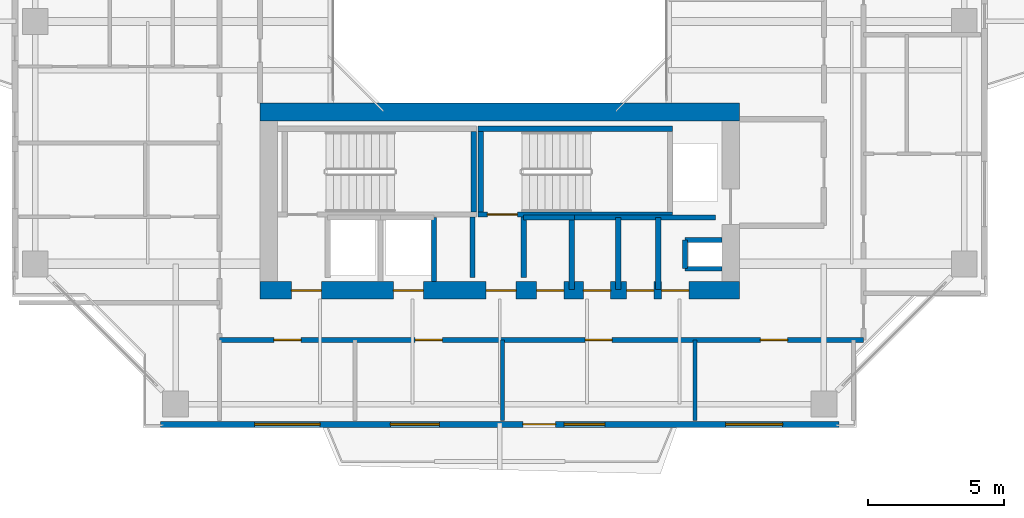
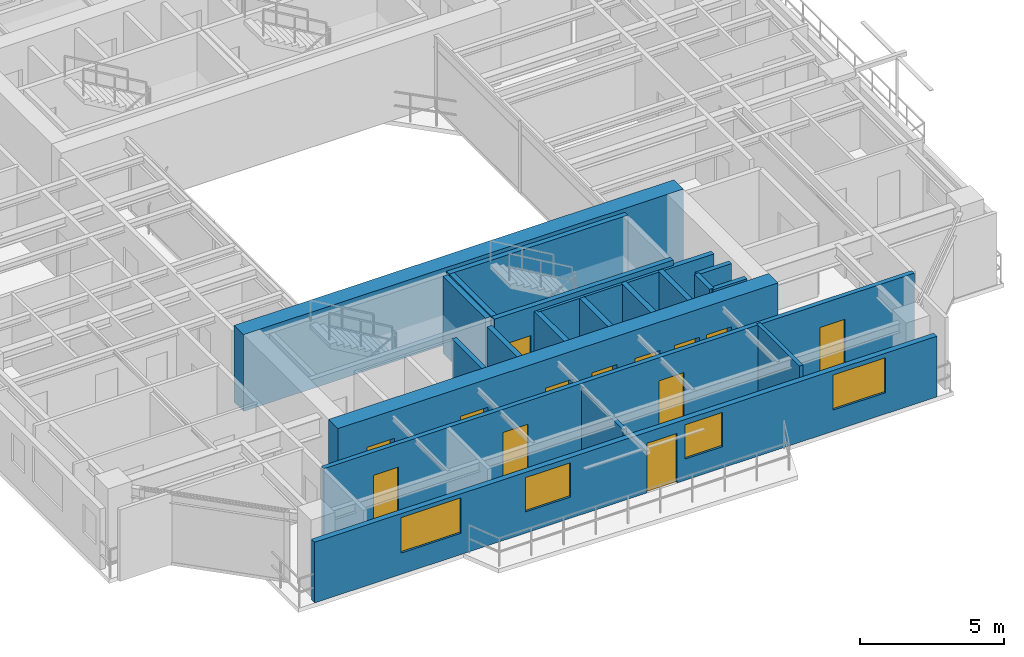
# One storey, part 10 of 18: 21 walls, 13 doors, 4 windows, 17 openings.
"""IFC4 building model written with IfcOpenShell, lengths in metres."""

from ifc_helpers import new_model, si_unit, direction, frame, frame_2d, origin, place, context, subcontext, project, spatial, rectangle, extrude, source, transform, mapped, material, layer, layer_set, type_object, element, fill, save


model = new_model("IFC4")

# Units and contexts
model_context = context("Model", 3, precision=1e-05, world=origin(), true_north=direction((0.0, 1.0)))
body_context = subcontext(model_context, "Body", "Model", "MODEL_VIEW")
ifc_project = project(units=[si_unit("LENGTHUNIT", "METRE"), si_unit("AREAUNIT", "SQUARE_METRE"), si_unit("VOLUMEUNIT", "CUBIC_METRE"), si_unit("PLANEANGLEUNIT", "RADIAN"), si_unit("MASSUNIT", "GRAM", prefix="KILO"), si_unit("THERMODYNAMICTEMPERATUREUNIT", "KELVIN"), si_unit("POWERUNIT", "WATT")], contexts=[model_context])

# Site, building, storey
site_placement = place(None, origin())
site = spatial("IfcSite", under=ifc_project, at=site_placement, CompositionType="ELEMENT")
building_placement = place(site_placement, origin())
building = spatial("IfcBuilding", under=site, at=building_placement, Name="Qiaomeng Ring Towers", CompositionType="ELEMENT")
storey_placement = place(building_placement, frame((0.0, 0.0, 182.75)))
storey = spatial("IfcBuildingStorey", under=building, at=storey_placement, Name="L53", CompositionType="ELEMENT", Elevation=182.75)

# Wall, openings, windows, door
ifc_material_1 = material(Name="Precast concrete C40", Category="concrete")
ifc_layer_1 = layer(ifc_material_1, 0.219970703125, Name="Precast concrete C40")
ifc_layer_set_1 = layer_set([ifc_layer_1], Name="Precast concrete C40")
wall_type_1 = type_object("IfcWallType", Name="ARC-WL-EW2", PredefinedType="STANDARD", material=ifc_layer_set_1)
wall_1_placement = place(storey_placement, frame((6.550048828125, 5.2099609375, 0.0), z_axis=(0.0, 0.0, 1.0), x_axis=(1.0, 0.0, 0.0)))
wall_1 = element("IfcWall", 1, at=wall_1_placement, inside=storey, type_object=wall_type_1, Name="L53 Tower 1 S Exterior Wall", PredefinedType="STANDARD", context=body_context, shape_type="SweptSolid", body=[
    extrude(rectangle(XDim=24.89990234375, YDim=0.219970703125, at=frame_2d((12.449951171875, 0.0))), origin(), (0.0, 0.0, 1.0), 2.570068359375),
])
opening_1_placement = place(wall_1_placement, frame((13.300048828125, 0.0, 0.0)))
opening_1 = element("IfcOpeningElement", 2, at=opening_1_placement, cuts=wall_1, Name="Opening BD1", PredefinedType="OPENING", context=body_context, shape_type="SweptSolid", body=[
    extrude(rectangle(XDim=1.199951171875, YDim=2.10009765625, at=frame_2d((0.60009765625, 1.050048828125))), frame((0.0, 0.119873046875, 0.0), z_axis=(0.0, -1.0, 0.0), x_axis=(1.0, 0.0, 0.0)), (0.0, 0.0, 1.0), 0.239990234375),
])
opening_2_placement = place(wall_1_placement, frame((3.455078125, 0.0, 0.89990234375)))
opening_2 = element("IfcOpeningElement", 3, at=opening_2_placement, cuts=wall_1, Name="Opening WN6", PredefinedType="OPENING", context=body_context, shape_type="SweptSolid", body=[
    extrude(rectangle(XDim=2.39990234375, YDim=1.5, at=frame_2d((1.199951171875, 0.75))), frame((0.0, 0.119873046875, 0.0), z_axis=(0.0, -1.0, 0.0), x_axis=(1.0, 0.0, 0.0)), (0.0, 0.0, 1.0), 0.239990234375),
])
opening_3_placement = place(wall_1_placement, frame((8.43798828125, 0.0, 0.89990234375)))
opening_3 = element("IfcOpeningElement", 4, at=opening_3_placement, cuts=wall_1, Name="Opening WN1", PredefinedType="OPENING", context=body_context, shape_type="SweptSolid", body=[
    extrude(rectangle(XDim=1.800048828125, YDim=1.449951171875, at=frame_2d((0.89990234375, 0.72509765625))), frame((0.0, 0.119873046875, 0.0), z_axis=(0.0, -1.0, 0.0), x_axis=(1.0, 0.0, 0.0)), (0.0, 0.0, 1.0), 0.239990234375),
])
opening_4_placement = place(wall_1_placement, frame((14.81298828125, 0.0, 0.89990234375)))
opening_4 = element("IfcOpeningElement", 5, at=opening_4_placement, cuts=wall_1, Name="Opening WN2", PredefinedType="OPENING", context=body_context, shape_type="SweptSolid", body=[
    extrude(rectangle(XDim=1.5, YDim=1.449951171875, at=frame_2d((0.75, 0.72509765625))), frame((0.0, 0.119873046875, 0.0), z_axis=(0.0, -1.0, 0.0), x_axis=(1.0, 0.0, 0.0)), (0.0, 0.0, 1.0), 0.239990234375),
])
opening_5_placement = place(wall_1_placement, frame((20.738037109375, 0.0, 0.89990234375)))
opening_5 = element("IfcOpeningElement", 6, at=opening_5_placement, cuts=wall_1, Name="Opening WN4", PredefinedType="OPENING", context=body_context, shape_type="SweptSolid", body=[
    extrude(rectangle(XDim=2.10009765625, YDim=1.47998046875, at=frame_2d((1.050048828125, 0.739990234375))), frame((0.0, 0.119873046875, 0.0), z_axis=(0.0, -1.0, 0.0), x_axis=(1.0, 0.0, 0.0)), (0.0, 0.0, 1.0), 0.239990234375),
])
ifc_material_2 = material(Name="Low-E dark-grey laminated double glazing", Category="glass")
window_type_1 = type_object("IfcWindowType", Name="ARC-WN-2", PartitioningType="DOUBLE_PANEL_VERTICAL", PredefinedType="WINDOW", material=ifc_material_2)
shared_shape_1 = source(origin(), body_context, "Body", "SweptSolid", [
    extrude(rectangle(XDim=1.5, YDim=1.449951171875, at=frame_2d((0.75, 0.72509765625))), frame((0.0, 0.030029296875, 0.0), z_axis=(0.0, -1.0, 0.0), x_axis=(1.0, 0.0, 0.0)), (0.0, 0.0, 1.0), 0.06005859375),
])
window_1_placement = place(opening_4_placement, origin())
window_1 = element("IfcWindow", 7, at=window_1_placement, inside=storey, type_object=window_type_1, Name="L53 Exterior Window WN2", OverallHeight=1.449951171875, OverallWidth=1.5, PartitioningType="DOUBLE_PANEL_VERTICAL", PredefinedType="WINDOW", context=body_context, shape_type="MappedRepresentation", body=[
    mapped(shared_shape_1, transform((0.0, 0.0, 0.0), x_axis=(1.0, 0.0, 0.0), y_axis=(0.0, 1.0, 0.0), z_axis=(0.0, 0.0, 1.0), scale=1.0)),
])
fill(opening_4, window_1)
window_type_2 = type_object("IfcWindowType", Name="ARC-WN-4", PartitioningType="TRIPLE_PANEL_VERTICAL", PredefinedType="WINDOW", material=ifc_material_2)
shared_shape_2 = source(origin(), body_context, "Body", "SweptSolid", [
    extrude(rectangle(XDim=2.10009765625, YDim=1.47998046875, at=frame_2d((1.050048828125, 0.739990234375))), frame((0.0, 0.030029296875, 0.0), z_axis=(0.0, -1.0, 0.0), x_axis=(1.0, 0.0, 0.0)), (0.0, 0.0, 1.0), 0.06005859375),
])
window_2_placement = place(opening_5_placement, origin())
window_2 = element("IfcWindow", 8, at=window_2_placement, inside=storey, type_object=window_type_2, Name="L53 Exterior Window WN4", OverallHeight=1.47998046875, OverallWidth=2.10009765625, PartitioningType="TRIPLE_PANEL_VERTICAL", PredefinedType="WINDOW", context=body_context, shape_type="MappedRepresentation", body=[
    mapped(shared_shape_2, transform((0.0, 0.0, 0.0), x_axis=(1.0, 0.0, 0.0), y_axis=(0.0, 1.0, 0.0), z_axis=(0.0, 0.0, 1.0), scale=1.0)),
])
fill(opening_5, window_2)
window_type_3 = type_object("IfcWindowType", Name="ARC-WN-1", PartitioningType="DOUBLE_PANEL_VERTICAL", PredefinedType="WINDOW", material=ifc_material_2)
shared_shape_3 = source(origin(), body_context, "Body", "SweptSolid", [
    extrude(rectangle(XDim=1.800048828125, YDim=1.449951171875, at=frame_2d((0.89990234375, 0.72509765625))), frame((0.0, 0.030029296875, 0.0), z_axis=(0.0, -1.0, 0.0), x_axis=(1.0, 0.0, 0.0)), (0.0, 0.0, 1.0), 0.06005859375),
])
window_3_placement = place(opening_3_placement, origin())
window_3 = element("IfcWindow", 9, at=window_3_placement, inside=storey, type_object=window_type_3, Name="L53 Exterior Window WN1", OverallHeight=1.449951171875, OverallWidth=1.800048828125, PartitioningType="DOUBLE_PANEL_VERTICAL", PredefinedType="WINDOW", context=body_context, shape_type="MappedRepresentation", body=[
    mapped(shared_shape_3, transform((0.0, 0.0, 0.0), x_axis=(1.0, 0.0, 0.0), y_axis=(0.0, 1.0, 0.0), z_axis=(0.0, 0.0, 1.0), scale=1.0)),
])
fill(opening_3, window_3)
door_type_1 = type_object("IfcDoorType", Name="ARC-DR-BD1", OperationType="NOTDEFINED", PredefinedType="DOOR", material=ifc_material_2)
shared_shape_4 = source(origin(), body_context, "Body", "SweptSolid", [
    extrude(rectangle(XDim=1.199951171875, YDim=2.10009765625, at=frame_2d((0.60009765625, 1.050048828125))), frame((0.0, 0.02490234375, 0.0), z_axis=(0.0, -1.0, 0.0), x_axis=(1.0, 0.0, 0.0)), (0.0, 0.0, 1.0), 0.050048828125),
])
door_1_placement = place(opening_1_placement, frame((1.199951171875, 0.0, 0.0), z_axis=(0.0, 0.0, 1.0), x_axis=(-1.0, 0.0, 0.0)))
door_1 = element("IfcDoor", 10, at=door_1_placement, inside=storey, type_object=door_type_1, Name="L53 S Balcony Glazed Door", OperationType="SINGLE_SWING_LEFT", OverallHeight=2.10009765625, OverallWidth=1.199951171875, PredefinedType="DOOR", context=body_context, shape_type="MappedRepresentation", body=[
    mapped(shared_shape_4, transform((0.0, 0.0, 0.0), x_axis=(1.0, 0.0, 0.0), y_axis=(0.0, 1.0, 0.0), z_axis=(0.0, 0.0, 1.0), scale=1.0)),
])
fill(opening_1, door_1)
window_type_4 = type_object("IfcWindowType", Name="ARC-WN-6", PartitioningType="TRIPLE_PANEL_VERTICAL", PredefinedType="WINDOW", material=ifc_material_2)
shared_shape_5 = source(origin(), body_context, "Body", "SweptSolid", [
    extrude(rectangle(XDim=2.39990234375, YDim=1.5, at=frame_2d((1.199951171875, 0.75))), frame((0.0, 0.030029296875, 0.0), z_axis=(0.0, -1.0, 0.0), x_axis=(1.0, 0.0, 0.0)), (0.0, 0.0, 1.0), 0.06005859375),
])
window_4_placement = place(opening_2_placement, origin())
window_4 = element("IfcWindow", 11, at=window_4_placement, inside=storey, type_object=window_type_4, Name="L53 Exterior Window WN6", OverallHeight=1.5, OverallWidth=2.39990234375, PartitioningType="TRIPLE_PANEL_VERTICAL", PredefinedType="WINDOW", context=body_context, shape_type="MappedRepresentation", body=[
    mapped(shared_shape_5, transform((0.0, 0.0, 0.0), x_axis=(1.0, 0.0, 0.0), y_axis=(0.0, 1.0, 0.0), z_axis=(0.0, 0.0, 1.0), scale=1.0)),
])
fill(opening_2, window_4)

# Walls
ifc_material_3 = material(Name="Autoclaved aerated concrete block", Category="concrete")
ifc_layer_2 = layer(ifc_material_3, 0.199951171875, Name="Autoclaved aerated concrete block")
ifc_layer_set_2 = layer_set([ifc_layer_2], Name="Autoclaved aerated concrete block")
wall_type_2 = type_object("IfcWallType", Name="ARC-WL-PW1", PredefinedType="PARTITIONING", material=ifc_layer_set_2)
for number, where, z_axis, x_axis, name in (
    (12, (18.0, 10.60009765625, 0.0), (0.0, 0.0, 1.0), (0.0, 1.0, 0.0), "L53 Interior Wall PW1"),
    (13, (19.8798828125, 10.60009765625, 0.0), (0.0, 0.0, 1.0), (0.0, 1.0, 0.0), "L53 Interior Wall PW1"),
):
    element("IfcWall", number, at=place(storey_placement, frame(where, z_axis=z_axis, x_axis=x_axis)), inside=storey, type_object=wall_type_2, Name=name, PredefinedType="PARTITIONING", context=body_context, shape_type="SweptSolid", body=[
        extrude(rectangle(XDim=2.2099609375, YDim=0.199951171875, at=frame_2d((1.10498046875, 0.0))), origin(), (0.0, 0.0, 1.0), 3.030029296875),
    ])
wall_2_placement = place(storey_placement, frame((24.820068359375, 10.14990234375, 0.0), z_axis=(0.0, 0.0, 1.0), x_axis=(0.0, 1.0, 0.0)))
element("IfcWall", 14, at=wall_2_placement, inside=storey, type_object=wall_type_2, Name="L53 Interior Wall PW1", PredefinedType="PARTITIONING", context=body_context, shape_type="SweptSolid", body=[
    extrude(rectangle(XDim=2.650146484375, YDim=0.199951171875, at=frame_2d((1.3251953125, 0.0))), origin(), (0.0, 0.0, 1.0), 3.030029296875),
])
wall_3_placement = place(storey_placement, frame((19.8798828125, 12.800048828125, 0.0), z_axis=(0.0, 0.0, 1.0), x_axis=(1.0, 0.0, 0.0)))
element("IfcWall", 15, at=wall_3_placement, inside=storey, type_object=wall_type_2, Name="L53 Interior Wall PW1", PredefinedType="PARTITIONING", context=body_context, shape_type="SweptSolid", body=[
    extrude(rectangle(XDim=1.8701171875, YDim=0.199951171875, at=frame_2d((0.93505859375, 0.0))), origin(), (0.0, 0.0, 1.0), 3.030029296875),
])
for number, where, z_axis, x_axis, name in (
    (16, (21.639892578125, 10.14990234375, 0.0), (0.0, 0.0, 1.0), (0.0, 1.0, 0.0), "L53 Interior Wall PW1"),
    (17, (23.35009765625, 10.14990234375, 0.0), (0.0, 0.0, 1.0), (0.0, 1.0, 0.0), "L53 Interior Wall PW1"),
):
    element("IfcWall", number, at=place(storey_placement, frame(where, z_axis=z_axis, x_axis=x_axis)), inside=storey, type_object=wall_type_2, Name=name, PredefinedType="PARTITIONING", context=body_context, shape_type="SweptSolid", body=[
        extrude(rectangle(XDim=2.650146484375, YDim=0.199951171875, at=frame_2d((1.3251953125, 0.0))), origin(), (0.0, 0.0, 1.0), 3.030029296875),
    ])
wall_4_placement = place(storey_placement, frame((21.75, 12.800048828125, 0.0), z_axis=(0.0, 0.0, 1.0), x_axis=(1.0, 0.0, 0.0)))
element("IfcWall", 18, at=wall_4_placement, inside=storey, type_object=wall_type_2, Name="L53 Interior Wall PW1", PredefinedType="PARTITIONING", context=body_context, shape_type="SweptSolid", body=[
    extrude(rectangle(XDim=5.169921875, YDim=0.199951171875, at=frame_2d((2.5849609375, 0.0))), origin(), (0.0, 0.0, 1.0), 3.030029296875),
])

# Wall, openings, doors
ifc_layer_3 = layer(ifc_material_3, 0.179931640625, Name="Autoclaved aerated concrete block")
ifc_layer_set_3 = layer_set([ifc_layer_3], Name="Autoclaved aerated concrete block")
wall_type_3 = type_object("IfcWallType", Name="ARC-WL-PW2", PredefinedType="PARTITIONING", material=ifc_layer_set_3)
wall_5_placement = place(storey_placement, frame((8.719970703125, 8.31005859375, 0.0), z_axis=(0.0, 0.0, 1.0), x_axis=(1.0, 0.0, 0.0)))
wall_5 = element("IfcWall", 19, at=wall_5_placement, inside=storey, type_object=wall_type_3, Name="L53 Interior Wall PW2", PredefinedType="PARTITIONING", context=body_context, shape_type="SweptSolid", body=[
    extrude(rectangle(XDim=23.630126953125, YDim=0.179931640625, at=frame_2d((11.81494140625, 0.0))), origin(), (0.0, 0.0, 1.0), 3.030029296875),
])
opening_6_placement = place(wall_5_placement, frame((1.985107421875, 0.0, 0.0)))
opening_6 = element("IfcOpeningElement", 20, at=opening_6_placement, cuts=wall_5, Name="Opening FD4", PredefinedType="OPENING", context=body_context, shape_type="SweptSolid", body=[
    extrude(rectangle(XDim=1.0, YDim=2.050048828125, at=frame_2d((0.5, 1.02490234375))), frame((0.0, 0.099853515625, 0.0), z_axis=(0.0, -1.0, 0.0), x_axis=(1.0, 0.0, 0.0)), (0.0, 0.0, 1.0), 0.199951171875),
])
opening_7_placement = place(wall_5_placement, frame((7.175048828125, 0.0, 0.0)))
opening_7 = element("IfcOpeningElement", 21, at=opening_7_placement, cuts=wall_5, Name="Opening FD4", PredefinedType="OPENING", context=body_context, shape_type="SweptSolid", body=[
    extrude(rectangle(XDim=1.0, YDim=2.050048828125, at=frame_2d((0.5, 1.02490234375))), frame((0.0, 0.099853515625, 0.0), z_axis=(0.0, -1.0, 0.0), x_axis=(1.0, 0.0, 0.0)), (0.0, 0.0, 1.0), 0.199951171875),
])
opening_8_placement = place(wall_5_placement, frame((13.409912109375, 0.0, 0.0)))
opening_8 = element("IfcOpeningElement", 22, at=opening_8_placement, cuts=wall_5, Name="Opening FD4", PredefinedType="OPENING", context=body_context, shape_type="SweptSolid", body=[
    extrude(rectangle(XDim=1.0, YDim=2.050048828125, at=frame_2d((0.5, 1.02490234375))), frame((0.0, 0.099853515625, 0.0), z_axis=(0.0, -1.0, 0.0), x_axis=(1.0, 0.0, 0.0)), (0.0, 0.0, 1.0), 0.199951171875),
])
opening_9_placement = place(wall_5_placement, frame((19.85009765625, 0.0, 0.0)))
opening_9 = element("IfcOpeningElement", 23, at=opening_9_placement, cuts=wall_5, Name="Opening FD4", PredefinedType="OPENING", context=body_context, shape_type="SweptSolid", body=[
    extrude(rectangle(XDim=1.0, YDim=2.050048828125, at=frame_2d((0.5, 1.02490234375))), frame((0.0, 0.099853515625, 0.0), z_axis=(0.0, -1.0, 0.0), x_axis=(1.0, 0.0, 0.0)), (0.0, 0.0, 1.0), 0.199951171875),
])
ifc_material_4 = material(Name="Engineered fire-rated oak timber", Category="wood")
door_type_2 = type_object("IfcDoorType", Name="ARC-DR-FD4", OperationType="NOTDEFINED", PredefinedType="DOOR", material=ifc_material_4)
shared_shape_6 = source(origin(), body_context, "Body", "SweptSolid", [
    extrude(rectangle(XDim=1.0, YDim=2.050048828125, at=frame_2d((0.5, 1.02490234375))), frame((0.0, 0.02490234375, 0.0), z_axis=(0.0, -1.0, 0.0), x_axis=(1.0, 0.0, 0.0)), (0.0, 0.0, 1.0), 0.050048828125),
])
door_2_placement = place(opening_6_placement, origin())
door_2 = element("IfcDoor", 24, at=door_2_placement, inside=storey, type_object=door_type_2, Name="L53 Door FD4", OperationType="SINGLE_SWING_LEFT", OverallHeight=2.050048828125, OverallWidth=1.0, PredefinedType="DOOR", context=body_context, shape_type="MappedRepresentation", body=[
    mapped(shared_shape_6, transform((0.0, 0.0, 0.0), x_axis=(1.0, 0.0, 0.0), y_axis=(0.0, 1.0, 0.0), z_axis=(0.0, 0.0, 1.0), scale=1.0)),
])
fill(opening_6, door_2)
door_3_placement = place(opening_7_placement, origin())
door_3 = element("IfcDoor", 25, at=door_3_placement, inside=storey, type_object=door_type_2, Name="L53 Door FD4", OperationType="SINGLE_SWING_RIGHT", OverallHeight=2.050048828125, OverallWidth=1.0, PredefinedType="DOOR", context=body_context, shape_type="MappedRepresentation", body=[
    mapped(shared_shape_6, transform((0.0, 0.0, 0.0), x_axis=(1.0, 0.0, 0.0), y_axis=(0.0, 1.0, 0.0), z_axis=(0.0, 0.0, 1.0), scale=1.0)),
])
fill(opening_7, door_3)
door_4_placement = place(opening_8_placement, origin())
door_4 = element("IfcDoor", 26, at=door_4_placement, inside=storey, type_object=door_type_2, Name="L53 Door FD4", OperationType="SINGLE_SWING_LEFT", OverallHeight=2.050048828125, OverallWidth=1.0, PredefinedType="DOOR", context=body_context, shape_type="MappedRepresentation", body=[
    mapped(shared_shape_6, transform((0.0, 0.0, 0.0), x_axis=(1.0, 0.0, 0.0), y_axis=(0.0, 1.0, 0.0), z_axis=(0.0, 0.0, 1.0), scale=1.0)),
])
fill(opening_8, door_4)
door_5_placement = place(opening_9_placement, origin())
door_5 = element("IfcDoor", 27, at=door_5_placement, inside=storey, type_object=door_type_2, Name="L53 Door FD4", OperationType="SINGLE_SWING_RIGHT", OverallHeight=2.050048828125, OverallWidth=1.0, PredefinedType="DOOR", context=body_context, shape_type="MappedRepresentation", body=[
    mapped(shared_shape_6, transform((0.0, 0.0, 0.0), x_axis=(1.0, 0.0, 0.0), y_axis=(0.0, 1.0, 0.0), z_axis=(0.0, 0.0, 1.0), scale=1.0)),
])
fill(opening_9, door_5)

# Walls
ifc_material_5 = material(Name="Gypsum fireboard steel-stud partition", Category="steel")
ifc_layer_4 = layer(ifc_material_5, 0.14990234375, Name="Gypsum fireboard steel-stud partition")
ifc_layer_set_4 = layer_set([ifc_layer_4], Name="Gypsum fireboard steel-stud partition")
wall_type_4 = type_object("IfcWallType", Name="ARC-WL-PW3", PredefinedType="PARTITIONING", material=ifc_layer_set_4)
wall_6_placement = place(storey_placement, frame((19.10009765625, 5.35009765625, 0.0), z_axis=(0.0, 0.0, 1.0), x_axis=(0.0, 1.0, 0.0)))
element("IfcWall", 28, at=wall_6_placement, inside=storey, type_object=wall_type_4, Name="L53 Interior Wall PW3", PredefinedType="PARTITIONING", context=body_context, shape_type="SweptSolid", body=[
    extrude(rectangle(XDim=2.9599609375, YDim=0.14990234375, at=frame_2d((1.47998046875, 0.0))), origin(), (0.0, 0.0, 1.0), 2.824951171875),
])
wall_7_placement = place(storey_placement, frame((26.159912109375, 5.35009765625, 0.0), z_axis=(0.0, 0.0, 1.0), x_axis=(0.0, 1.0, 0.0)))
element("IfcWall", 29, at=wall_7_placement, inside=storey, type_object=wall_type_4, Name="L53 Interior Wall PW3", PredefinedType="PARTITIONING", context=body_context, shape_type="SweptSolid", body=[
    extrude(rectangle(XDim=2.9599609375, YDim=0.14990234375, at=frame_2d((1.47998046875, 0.0))), origin(), (0.0, 0.0, 1.0), 3.030029296875),
])
ifc_material_6 = material(Name="Concrete C40", Category="concrete")
ifc_layer_5 = layer(ifc_material_6, 0.199951171875, Name="Concrete C40")
ifc_layer_set_5 = layer_set([ifc_layer_5], Name="Concrete C40")
wall_type_5 = type_object("IfcWallType", Name="STR-WL-STSHAFT", PredefinedType="SHEAR", material=ifc_layer_set_5)
wall_8_placement = place(storey_placement, frame((25.800048828125, 10.919921875, 0.0), z_axis=(0.0, 0.0, 1.0), x_axis=(0.0, 1.0, 0.0)))
element("IfcWall", 30, at=wall_8_placement, inside=storey, type_object=wall_type_5, Name="L53 Riser RSR1 West Shaft Wall S", PredefinedType="SHEAR", context=body_context, shape_type="SweptSolid", body=[
    extrude(rectangle(XDim=1.06005859375, YDim=0.179931640625, at=frame_2d((0.530029296875, 0.0))), origin(), (0.0, 0.0, 1.0), 3.030029296875),
])
for number, where, z_axis, x_axis, name in (
    (31, (25.800048828125, 11.97998046875, 0.0), (0.0, 0.0, 1.0), (1.0, 0.0, 0.0), "L53 Riser RSR1 North Shaft Wall S"),
    (32, (25.800048828125, 10.919921875, 0.0), (0.0, 0.0, 1.0), (1.0, 0.0, 0.0), "L53 Riser RSR1 South Shaft Wall S"),
):
    element("IfcWall", number, at=place(storey_placement, frame(where, z_axis=z_axis, x_axis=x_axis)), inside=storey, type_object=wall_type_5, Name=name, PredefinedType="SHEAR", context=body_context, shape_type="SweptSolid", body=[
        extrude(rectangle(XDim=1.349853515625, YDim=0.179931640625, at=frame_2d((0.6748046875, 0.0))), origin(), (0.0, 0.0, 1.0), 3.030029296875),
    ])
wall_9_placement = place(storey_placement, frame((16.580078125, 10.449951171875, 0.0), z_axis=(0.0, 0.0, 1.0), x_axis=(0.0, 1.0, 0.0)))
element("IfcWall", 33, at=wall_9_placement, inside=storey, type_object=wall_type_5, Name="L53 Lift LP4 East Shaft Wall", PredefinedType="SHEAR", context=body_context, shape_type="SweptSolid", body=[
    extrude(rectangle(XDim=2.35009765625, YDim=0.179931640625, at=frame_2d((1.175048828125, 0.0))), origin(), (0.0, 0.0, 1.0), 3.030029296875),
])
wall_10_placement = place(storey_placement, frame((18.050048828125, 13.010009765625, 0.0), z_axis=(0.0, 0.0, 1.0), x_axis=(0.0, 1.0, 0.0)))
element("IfcWall", 34, at=wall_10_placement, inside=storey, type_object=wall_type_5, Name="L53 Stair ST3 East Shaft Shear Wall", PredefinedType="SHEAR", context=body_context, shape_type="SweptSolid", body=[
    extrude(rectangle(XDim=2.93994140625, YDim=0.199951171875, at=frame_2d((1.469970703125, 0.0))), origin(), (0.0, 0.0, 1.0), 3.25),
])

# Wall, opening, door
wall_11_placement = place(storey_placement, frame((18.199951171875, 12.909912109375, 0.0), z_axis=(0.0, 0.0, 1.0), x_axis=(1.0, 0.0, 0.0)))
wall_11 = element("IfcWall", 35, at=wall_11_placement, inside=storey, type_object=wall_type_5, Name="L53 Stair ST4 South Shaft Shear Wall", PredefinedType="SHEAR", context=body_context, shape_type="SweptSolid", body=[
    extrude(rectangle(XDim=7.150146484375, YDim=0.199951171875, at=frame_2d((3.5751953125, 0.0))), origin(), (0.0, 0.0, 1.0), 3.25),
])
opening_10_placement = place(wall_11_placement, frame((0.35009765625, 0.0, 0.0)))
opening_10 = element("IfcOpeningElement", 36, at=opening_10_placement, cuts=wall_11, Name="Opening FD3", PredefinedType="OPENING", context=body_context, shape_type="SweptSolid", body=[
    extrude(rectangle(XDim=1.10009765625, YDim=2.050048828125, at=frame_2d((0.550048828125, 1.02490234375))), frame((0.0, 0.10986328125, 0.0), z_axis=(0.0, -1.0, 0.0), x_axis=(1.0, 0.0, 0.0)), (0.0, 0.0, 1.0), 0.219970703125),
])
ifc_material_7 = material(Name="Galvanised steel", Category="steel")
door_type_3 = type_object("IfcDoorType", Name="ARC-DR-FD3", OperationType="NOTDEFINED", PredefinedType="DOOR", material=ifc_material_7)
shared_shape_7 = source(origin(), body_context, "Body", "SweptSolid", [
    extrude(rectangle(XDim=1.10009765625, YDim=2.050048828125, at=frame_2d((0.550048828125, 1.02490234375))), frame((0.0, 0.02490234375, 0.0), z_axis=(0.0, -1.0, 0.0), x_axis=(1.0, 0.0, 0.0)), (0.0, 0.0, 1.0), 0.050048828125),
])
door_6_placement = place(opening_10_placement, frame((1.10009765625, 0.0, 0.0), z_axis=(0.0, 0.0, 1.0), x_axis=(-1.0, 0.0, 0.0)))
door_6 = element("IfcDoor", 37, at=door_6_placement, inside=storey, type_object=door_type_3, Name="L53 Stair ST4 Exit Door", OperationType="SINGLE_SWING_RIGHT", OverallHeight=2.050048828125, OverallWidth=1.10009765625, PredefinedType="DOOR", context=body_context, shape_type="MappedRepresentation", body=[
    mapped(shared_shape_7, transform((0.0, 0.0, 0.0), x_axis=(1.0, 0.0, 0.0), y_axis=(0.0, 1.0, 0.0), z_axis=(0.0, 0.0, 1.0), scale=1.0)),
])
fill(opening_10, door_6)

# Walls
wall_12_placement = place(storey_placement, frame((18.199951171875, 16.050048828125, 0.0), z_axis=(0.0, 0.0, 1.0), x_axis=(1.0, 0.0, 0.0)))
element("IfcWall", 38, at=wall_12_placement, inside=storey, type_object=wall_type_5, Name="L53 Stair ST4 North Shaft Shear Wall", PredefinedType="SHEAR", context=body_context, shape_type="SweptSolid", body=[
    extrude(rectangle(XDim=7.150146484375, YDim=0.199951171875, at=frame_2d((3.5751953125, 0.0))), origin(), (0.0, 0.0, 1.0), 3.25),
])
wall_13_placement = place(storey_placement, frame((18.300048828125, 13.010009765625, 0.0), z_axis=(0.0, 0.0, 1.0), x_axis=(0.0, 1.0, 0.0)))
element("IfcWall", 39, at=wall_13_placement, inside=storey, type_object=wall_type_5, Name="L53 Stair ST4 West Shaft Shear Wall", PredefinedType="SHEAR", context=body_context, shape_type="SweptSolid", body=[
    extrude(rectangle(XDim=2.93994140625, YDim=0.199951171875, at=frame_2d((1.469970703125, 0.0))), origin(), (0.0, 0.0, 1.0), 3.25),
])

# Wall, openings, doors
ifc_material_8 = material(Name="Concrete C50", Category="concrete")
ifc_layer_6 = layer(ifc_material_8, 0.64990234375, Name="Concrete C50")
ifc_layer_set_6 = layer_set([ifc_layer_6], Name="Concrete C50")
wall_type_6 = type_object("IfcWallType", Name="STR-WL-SW2B", PredefinedType="SHEAR", material=ifc_layer_set_6)
wall_14_placement = place(storey_placement, frame((10.199951171875, 10.125, 0.0), z_axis=(0.0, 0.0, 1.0), x_axis=(1.0, 0.0, 0.0)))
wall_14 = element("IfcWall", 40, at=wall_14_placement, inside=storey, type_object=wall_type_6, Name="L53 T1SC south core shear wall", PredefinedType="SHEAR", context=body_context, shape_type="SweptSolid", body=[
    extrude(rectangle(XDim=17.60009765625, YDim=0.64990234375, at=frame_2d((8.800048828125, 0.0))), origin(), (0.0, 0.0, 1.0), 3.25),
])
opening_11_placement = place(wall_14_placement, frame((1.14990234375, 0.0, 0.0)))
opening_11 = element("IfcOpeningElement", 41, at=opening_11_placement, cuts=wall_14, Name="Opening FD3", PredefinedType="OPENING", context=body_context, shape_type="SweptSolid", body=[
    extrude(rectangle(XDim=1.10009765625, YDim=2.050048828125, at=frame_2d((0.550048828125, 1.02490234375))), frame((0.0, 0.3349609375, 0.0), z_axis=(0.0, -1.0, 0.0), x_axis=(1.0, 0.0, 0.0)), (0.0, 0.0, 1.0), 0.669921875),
])
opening_12_placement = place(wall_14_placement, frame((8.300048828125, 0.0, 0.0)))
opening_12 = element("IfcOpeningElement", 42, at=opening_12_placement, cuts=wall_14, Name="Opening FD3", PredefinedType="OPENING", context=body_context, shape_type="SweptSolid", body=[
    extrude(rectangle(XDim=1.10009765625, YDim=2.050048828125, at=frame_2d((0.550048828125, 1.02490234375))), frame((0.0, 0.3349609375, 0.0), z_axis=(0.0, -1.0, 0.0), x_axis=(1.0, 0.0, 0.0)), (0.0, 0.0, 1.0), 0.669921875),
])
opening_13_placement = place(wall_14_placement, frame((4.89990234375, 0.0, 0.0)))
opening_13 = element("IfcOpeningElement", 43, at=opening_13_placement, cuts=wall_14, Name="Opening LD1", PredefinedType="OPENING", context=body_context, shape_type="SweptSolid", body=[
    extrude(rectangle(XDim=1.10009765625, YDim=2.050048828125, at=frame_2d((0.550048828125, 1.02490234375))), frame((0.0, 0.3349609375, 0.0), z_axis=(0.0, -1.0, 0.0), x_axis=(1.0, 0.0, 0.0)), (0.0, 0.0, 1.0), 0.669921875),
])
opening_14_placement = place(wall_14_placement, frame((14.739990234375, 0.0, 0.0)))
opening_14 = element("IfcOpeningElement", 44, at=opening_14_placement, cuts=wall_14, Name="Opening FD1", PredefinedType="OPENING", context=body_context, shape_type="SweptSolid", body=[
    extrude(rectangle(XDim=1.0, YDim=2.050048828125, at=frame_2d((0.5, 1.02490234375))), frame((0.0, 0.3349609375, 0.0), z_axis=(0.0, -1.0, 0.0), x_axis=(1.0, 0.0, 0.0)), (0.0, 0.0, 1.0), 0.669921875),
])
opening_15_placement = place(wall_14_placement, frame((10.155029296875, 0.0, 0.0)))
opening_15 = element("IfcOpeningElement", 45, at=opening_15_placement, cuts=wall_14, Name="Opening FD1", PredefinedType="OPENING", context=body_context, shape_type="SweptSolid", body=[
    extrude(rectangle(XDim=1.0, YDim=2.050048828125, at=frame_2d((0.5, 1.02490234375))), frame((0.0, 0.3349609375, 0.0), z_axis=(0.0, -1.0, 0.0), x_axis=(1.0, 0.0, 0.0)), (0.0, 0.0, 1.0), 0.669921875),
])
opening_16_placement = place(wall_14_placement, frame((11.8701171875, 0.0, 0.0)))
opening_16 = element("IfcOpeningElement", 46, at=opening_16_placement, cuts=wall_14, Name="Opening FD1", PredefinedType="OPENING", context=body_context, shape_type="SweptSolid", body=[
    extrude(rectangle(XDim=1.0, YDim=2.050048828125, at=frame_2d((0.5, 1.02490234375))), frame((0.0, 0.3349609375, 0.0), z_axis=(0.0, -1.0, 0.0), x_axis=(1.0, 0.0, 0.0)), (0.0, 0.0, 1.0), 0.669921875),
])
opening_17_placement = place(wall_14_placement, frame((13.4599609375, 0.0, 0.0)))
opening_17 = element("IfcOpeningElement", 47, at=opening_17_placement, cuts=wall_14, Name="Opening FD1", PredefinedType="OPENING", context=body_context, shape_type="SweptSolid", body=[
    extrude(rectangle(XDim=1.0, YDim=2.050048828125, at=frame_2d((0.5, 1.02490234375))), frame((0.0, 0.3349609375, 0.0), z_axis=(0.0, -1.0, 0.0), x_axis=(1.0, 0.0, 0.0)), (0.0, 0.0, 1.0), 0.669921875),
])
door_7_placement = place(opening_11_placement, origin())
door_7 = element("IfcDoor", 48, at=door_7_placement, inside=storey, type_object=door_type_3, Name="L53 Stair ST3 Lobby Door", OperationType="SINGLE_SWING_LEFT", OverallHeight=2.050048828125, OverallWidth=1.10009765625, PredefinedType="DOOR", context=body_context, shape_type="MappedRepresentation", body=[
    mapped(shared_shape_7, transform((0.0, 0.0, 0.0), x_axis=(1.0, 0.0, 0.0), y_axis=(0.0, 1.0, 0.0), z_axis=(0.0, 0.0, 1.0), scale=1.0)),
])
fill(opening_11, door_7)
door_8_placement = place(opening_12_placement, origin())
door_8 = element("IfcDoor", 49, at=door_8_placement, inside=storey, type_object=door_type_3, Name="L53 Stair ST4 Lobby Door", OperationType="SINGLE_SWING_LEFT", OverallHeight=2.050048828125, OverallWidth=1.10009765625, PredefinedType="DOOR", context=body_context, shape_type="MappedRepresentation", body=[
    mapped(shared_shape_7, transform((0.0, 0.0, 0.0), x_axis=(1.0, 0.0, 0.0), y_axis=(0.0, 1.0, 0.0), z_axis=(0.0, 0.0, 1.0), scale=1.0)),
])
fill(opening_12, door_8)
ifc_material_9 = material(Name="Stainless steel 316", Category="steel")
door_type_4 = type_object("IfcDoorType", Name="ARC-DR-LD1", OperationType="NOTDEFINED", PredefinedType="DOOR", material=ifc_material_9)
door_9_placement = place(opening_13_placement, origin())
door_9 = element("IfcDoor", 50, at=door_9_placement, inside=storey, type_object=door_type_4, Name="L53 Mid-Zone Lift LP4 Landing Door", OperationType="SLIDING_TO_RIGHT", OverallHeight=2.050048828125, OverallWidth=1.10009765625, PredefinedType="DOOR", context=body_context, shape_type="MappedRepresentation", body=[
    mapped(shared_shape_7, transform((0.0, 0.0, 0.0), x_axis=(1.0, 0.0, 0.0), y_axis=(0.0, 1.0, 0.0), z_axis=(0.0, 0.0, 1.0), scale=1.0)),
])
fill(opening_13, door_9)
door_type_5 = type_object("IfcDoorType", Name="ARC-DR-FD1", OperationType="NOTDEFINED", PredefinedType="DOOR", material=ifc_material_7)
door_10_placement = place(opening_14_placement, origin())
door_10 = element("IfcDoor", 51, at=door_10_placement, inside=storey, type_object=door_type_5, Name="L53 South Electrical Riser Door", OperationType="SINGLE_SWING_RIGHT", OverallHeight=2.050048828125, OverallWidth=1.0, PredefinedType="DOOR", context=body_context, shape_type="MappedRepresentation", body=[
    mapped(shared_shape_6, transform((0.0, 0.0, 0.0), x_axis=(1.0, 0.0, 0.0), y_axis=(0.0, 1.0, 0.0), z_axis=(0.0, 0.0, 1.0), scale=1.0)),
])
fill(opening_14, door_10)
door_11_placement = place(opening_15_placement, origin())
door_11 = element("IfcDoor", 52, at=door_11_placement, inside=storey, type_object=door_type_5, Name="L53 South Break Lounge Door", OperationType="SINGLE_SWING_RIGHT", OverallHeight=2.050048828125, OverallWidth=1.0, PredefinedType="DOOR", context=body_context, shape_type="MappedRepresentation", body=[
    mapped(shared_shape_6, transform((0.0, 0.0, 0.0), x_axis=(1.0, 0.0, 0.0), y_axis=(0.0, 1.0, 0.0), z_axis=(0.0, 0.0, 1.0), scale=1.0)),
])
fill(opening_15, door_11)
door_12_placement = place(opening_16_placement, origin())
door_12 = element("IfcDoor", 53, at=door_12_placement, inside=storey, type_object=door_type_5, Name="L53 South Consultation Study Door", OperationType="SINGLE_SWING_LEFT", OverallHeight=2.050048828125, OverallWidth=1.0, PredefinedType="DOOR", context=body_context, shape_type="MappedRepresentation", body=[
    mapped(shared_shape_6, transform((0.0, 0.0, 0.0), x_axis=(1.0, 0.0, 0.0), y_axis=(0.0, 1.0, 0.0), z_axis=(0.0, 0.0, 1.0), scale=1.0)),
])
fill(opening_16, door_12)
door_13_placement = place(opening_17_placement, origin())
door_13 = element("IfcDoor", 54, at=door_13_placement, inside=storey, type_object=door_type_5, Name="L53 South Tea Pantry Door", OperationType="SINGLE_SWING_RIGHT", OverallHeight=2.050048828125, OverallWidth=1.0, PredefinedType="DOOR", context=body_context, shape_type="MappedRepresentation", body=[
    mapped(shared_shape_6, transform((0.0, 0.0, 0.0), x_axis=(1.0, 0.0, 0.0), y_axis=(0.0, 1.0, 0.0), z_axis=(0.0, 0.0, 1.0), scale=1.0)),
])
fill(opening_17, door_13)

# Wall
wall_15_placement = place(storey_placement, frame((10.199951171875, 16.675048828125, 0.0), z_axis=(0.0, 0.0, 1.0), x_axis=(1.0, 0.0, 0.0)))
element("IfcWall", 55, at=wall_15_placement, inside=storey, type_object=wall_type_6, Name="L53 T1SC north core shear wall", PredefinedType="SHEAR", context=body_context, shape_type="SweptSolid", body=[
    extrude(rectangle(XDim=17.60009765625, YDim=0.64990234375, at=frame_2d((8.800048828125, 0.0))), origin(), (0.0, 0.0, 1.0), 3.25),
])

save(model, "model.ifc")
